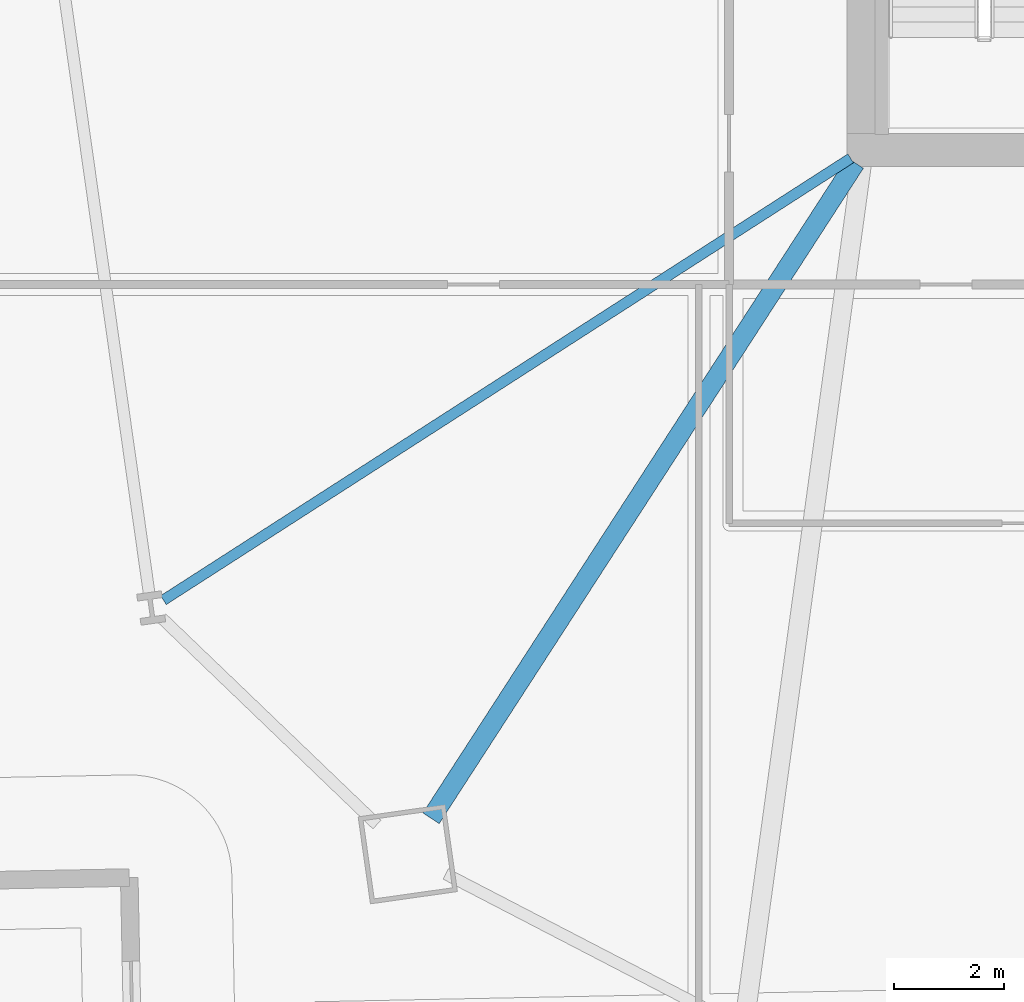
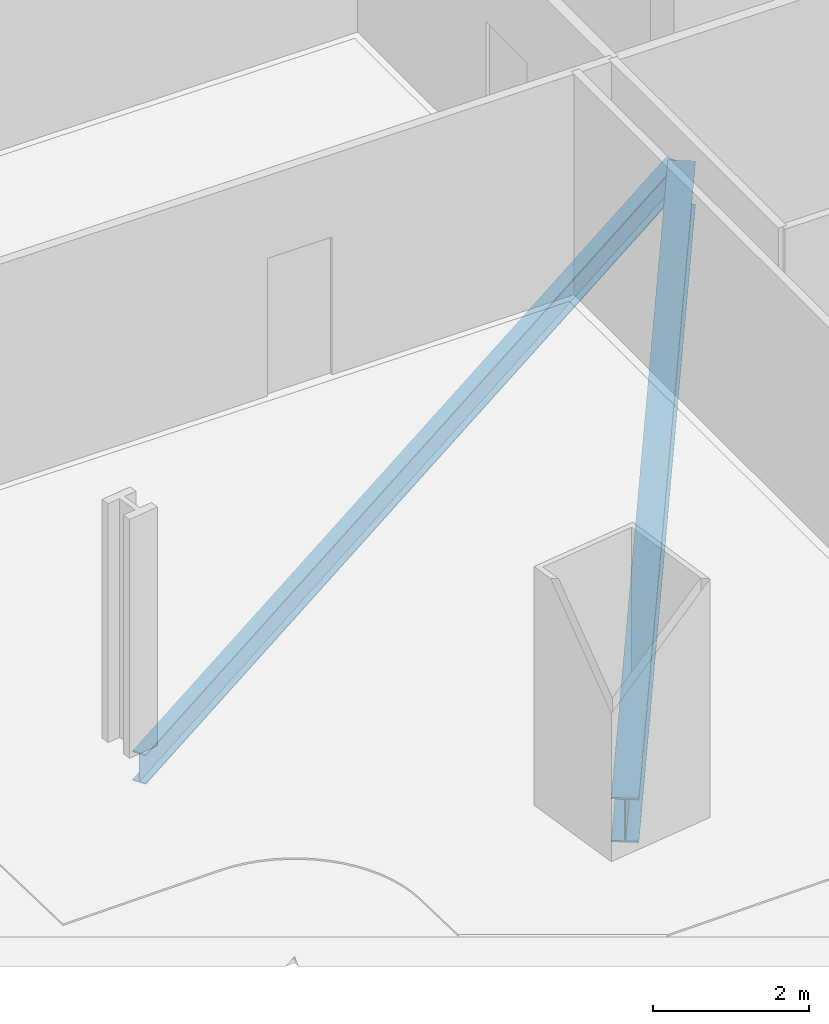
# One storey, part 5 of 35: 2 beams.
"""IFC4 building model written with IfcOpenShell, lengths in metres."""

from ifc_helpers import new_model, si_unit, direction, frame, origin, origin_2d, place, context, subcontext, project, spatial, i_section, extrude, material, material_profile, profile_set, type_object, element, save


model = new_model("IFC4")

# Units and contexts
model_context = context("Model", 3, precision=1e-05, world=origin(), true_north=direction((0.0, 1.0)))
body_context = subcontext(model_context, "Body", "Model", "MODEL_VIEW")
ifc_project = project(units=[si_unit("LENGTHUNIT", "METRE"), si_unit("AREAUNIT", "SQUARE_METRE"), si_unit("VOLUMEUNIT", "CUBIC_METRE"), si_unit("PLANEANGLEUNIT", "RADIAN"), si_unit("MASSUNIT", "GRAM", prefix="KILO")], contexts=[model_context])

# Site, building, storey
site_placement = place(None, origin())
site = spatial("IfcSite", under=ifc_project, at=site_placement, CompositionType="ELEMENT")
building_placement = place(site_placement, origin())
building = spatial("IfcBuilding", under=site, at=building_placement, Name="Haldenkirk Collegiate Tower", CompositionType="ELEMENT")
storey_placement = place(building_placement, frame((0.0, 0.0, 32.699951171875)))
storey = spatial("IfcBuildingStorey", under=building, at=storey_placement, Name="L06", CompositionType="ELEMENT", Elevation=32.699951171875)

# Beams
ifc_material = material(Name="Steel ASTM A992 Grade 50", Category="steel")
ifc_material_profile_1 = material_profile(ifc_material, i_section(OverallWidth=0.35498046875, OverallDepth=0.696044921875, WebThickness=0.015380859375, FlangeThickness=0.02490234375, at=origin_2d()), Name="W27X146")
ifc_profile_set_1 = profile_set([ifc_material_profile_1], Name="Steel ASTM A992 Grade 50")
beam_type_1 = type_object("IfcBeamType", Name="BM-GIRDER-W27X146", PredefinedType="BEAM", material=ifc_profile_set_1)
beam_1_placement = place(storey_placement, frame((19.1201171875, 5.826416015625, -0.657958984375), z_axis=(0.54339434448, 0.839477567531, 0.0), x_axis=(-0.839477567531, 0.54339434448, 0.0)))
element("IfcBeam", 1, at=beam_1_placement, inside=storey, type_object=beam_type_1, Name="L06 primary floor girder 01", PredefinedType="BEAM", context=body_context, shape_type="SweptSolid", body=[
    extrude(i_section(OverallWidth=0.35498046875, OverallDepth=0.696044921875, WebThickness=0.015380859375, FlangeThickness=0.02490234375, at=origin_2d()), origin(), (0.0, 0.0, 1.0), 14.221435546875),
])
ifc_material_profile_2 = material_profile(ifc_material, i_section(OverallWidth=0.19189453125, OverallDepth=0.462890625, WebThickness=0.010498046875, FlangeThickness=0.017578125, at=origin_2d()), Name="W18X60")
ifc_profile_set_2 = profile_set([ifc_material_profile_2], Name="Steel ASTM A992 Grade 50")
beam_type_2 = type_object("IfcBeamType", Name="BM-JOIST-W18X60", PredefinedType="JOIST", material=ifc_profile_set_2)
beam_2_placement = place(storey_placement, frame((14.244384765625, 9.80029296875, -0.54150390625), z_axis=(0.841185936654, 0.540745984707, 0.0), x_axis=(-0.540745984707, 0.841185936654, 0.0)))
element("IfcBeam", 2, at=beam_2_placement, inside=storey, type_object=beam_type_2, Name="L06 composite floor joist 16", PredefinedType="JOIST", context=body_context, shape_type="SweptSolid", body=[
    extrude(i_section(OverallWidth=0.19189453125, OverallDepth=0.462890625, WebThickness=0.010498046875, FlangeThickness=0.017578125, at=origin_2d()), origin(), (0.0, 0.0, 1.0), 14.8837890625),
])

save(model, "model.ifc")
